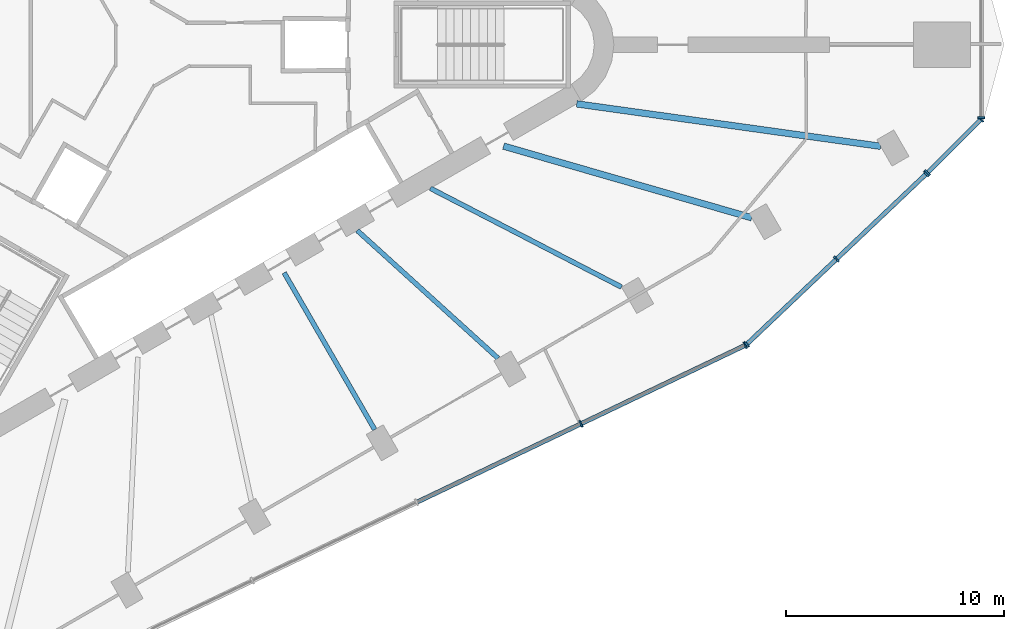
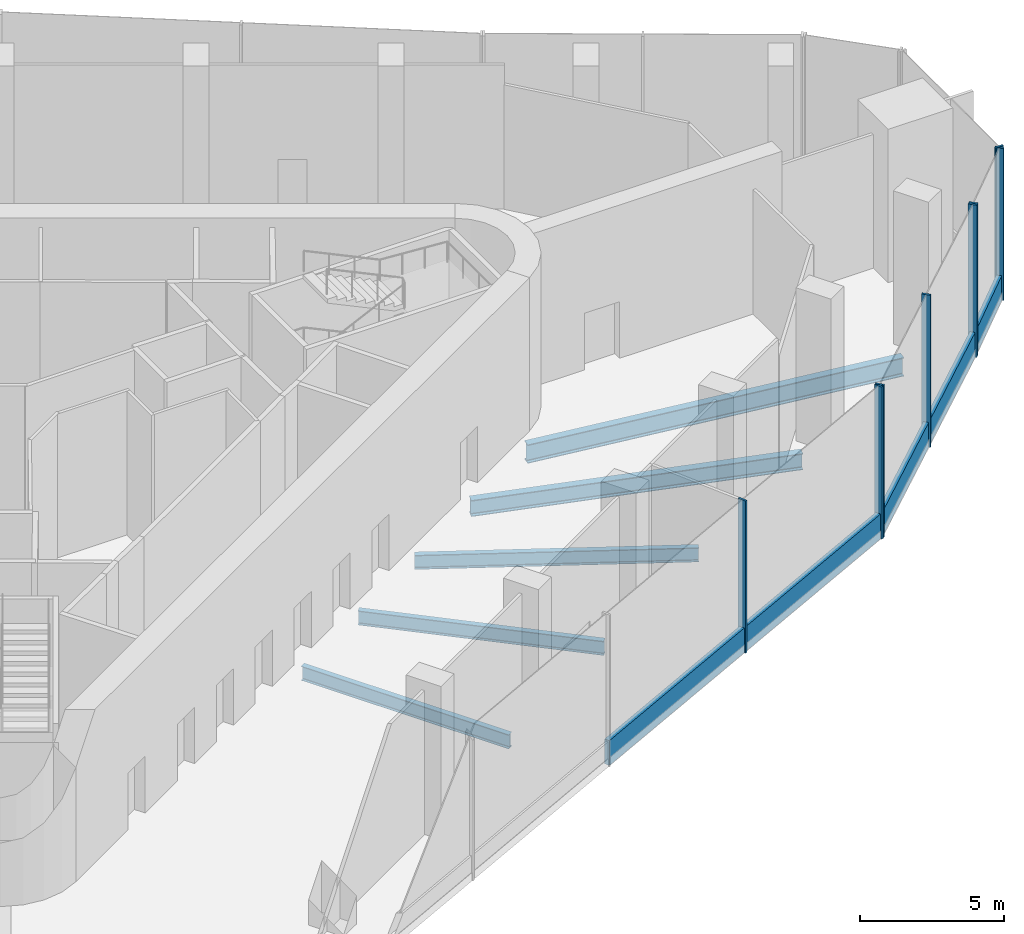
# One storey, part 3 of 15: 13 members, 5 beams, 4 elements without a shape of their own.
"""IFC4 building model written with IfcOpenShell, lengths in metres."""

from ifc_helpers import new_model, si_unit, direction, frame, origin, origin_2d, place, context, subcontext, project, spatial, rectangle, i_section, extrude, material, material_profile, profile_set, type_object, element, aggregate, save


model = new_model("IFC4")

# Units and contexts
model_context = context("Model", 3, precision=1e-05, world=origin(), true_north=direction((0.0, 1.0)))
body_context = subcontext(model_context, "Body", "Model", "MODEL_VIEW")
ifc_project = project(units=[si_unit("LENGTHUNIT", "METRE"), si_unit("AREAUNIT", "SQUARE_METRE"), si_unit("VOLUMEUNIT", "CUBIC_METRE"), si_unit("PLANEANGLEUNIT", "RADIAN"), si_unit("MASSUNIT", "GRAM", prefix="KILO")], contexts=[model_context])

# Site, building, storey
site_placement = place(None, origin())
site = spatial("IfcSite", under=ifc_project, at=site_placement, CompositionType="ELEMENT")
building_placement = place(site_placement, origin())
building = spatial("IfcBuilding", under=site, at=building_placement, Name="Tanit Gate Tower", CompositionType="ELEMENT")
storey_placement = place(building_placement, frame((0.0, 0.0, 277.199951171875)))
storey = spatial("IfcBuildingStorey", under=building, at=storey_placement, Name="L63", CompositionType="ELEMENT", Elevation=277.199951171875)

# Curtain wall, members
ifc_material_1 = material(Name="Aluminium bronze anodised and glass", Category="aluminium")
curtain_wall_type = type_object("IfcCurtainWallType", Name="Curtain wall sky lobby", PredefinedType="NOTDEFINED", material=ifc_material_1)
curtain_wall_1_placement = place(storey_placement, origin())
curtain_wall_1 = element("IfcCurtainWall", 1, at=curtain_wall_1_placement, inside=storey, type_object=curtain_wall_type, Name="Curtain wall L63 SE2", PredefinedType="NOTDEFINED")
ifc_material_2 = material(Name="Aluminium bronze anodised", Category="aluminium")
ifc_material_profile_1 = material_profile(ifc_material_2, rectangle(XDim=0.320068359375, YDim=0.080078125, at=origin_2d()), Name="80x320 bronze mullion")
ifc_profile_set_1 = profile_set([ifc_material_profile_1], Name="Aluminium bronze anodised")
member_type_1 = type_object("IfcMemberType", Name="Mullion 80x320 sky lobby", PredefinedType="MULLION", material=ifc_profile_set_1)
member_1_placement = place(storey_placement, frame((19.68505859375, -17.4169921875, -0.349853515625), z_axis=(0.0, 0.0, 1.0), x_axis=(-0.431197182029, 0.902257718288, 0.0)))
member_1 = element("IfcMember", 2, at=member_1_placement, type_object=member_type_1, Name="Mullion L63 SE2.4", PredefinedType="MULLION", context=body_context, shape_type="SweptSolid", body=[
    extrude(rectangle(XDim=0.320068359375, YDim=0.080078125, at=origin_2d()), origin(), (0.0, 0.0, 1.0), 6.449951171875),
])
member_2_placement = place(storey_placement, frame((27.234130859375, -13.80908203125, -0.349853515625), z_axis=(0.0, 0.0, 1.0), x_axis=(-0.431197182029, 0.902257718288, 0.0)))
member_2 = element("IfcMember", 3, at=member_2_placement, type_object=member_type_1, Name="Mullion L63 SE2.5", PredefinedType="MULLION", context=body_context, shape_type="SweptSolid", body=[
    extrude(rectangle(XDim=0.320068359375, YDim=0.080078125, at=origin_2d()), origin(), (0.0, 0.0, 1.0), 6.449951171875),
])

curtain_wall_2_placement = place(storey_placement, origin())
curtain_wall_2 = element("IfcCurtainWall", 4, at=curtain_wall_2_placement, inside=storey, type_object=curtain_wall_type, Name="Curtain wall L63 SE3", PredefinedType="NOTDEFINED")
member_3_placement = place(storey_placement, frame((27.29931640625, -13.764404296875, -0.349853515625), z_axis=(0.0, 0.0, 1.0), x_axis=(-0.688426796266, 0.725305829415, 0.0)))
member_3 = element("IfcMember", 5, at=member_3_placement, type_object=member_type_1, Name="Mullion L63 SE3.1", PredefinedType="MULLION", context=body_context, shape_type="SweptSolid", body=[
    extrude(rectangle(XDim=0.320068359375, YDim=0.080078125, at=origin_2d()), origin(), (0.0, 0.0, 1.0), 6.449951171875),
])
member_4_placement = place(storey_placement, frame((31.422607421875, -9.8505859375, -0.349853515625), z_axis=(0.0, 0.0, 1.0), x_axis=(-0.688426796266, 0.725305829415, 0.0)))
member_4 = element("IfcMember", 6, at=member_4_placement, type_object=member_type_1, Name="Mullion L63 SE3.2", PredefinedType="MULLION", context=body_context, shape_type="SweptSolid", body=[
    extrude(rectangle(XDim=0.320068359375, YDim=0.080078125, at=origin_2d()), origin(), (0.0, 0.0, 1.0), 6.449951171875),
])
member_5_placement = place(storey_placement, frame((35.546142578125, -5.936767578125, -0.349853515625), z_axis=(0.0, 0.0, 1.0), x_axis=(-0.688426796266, 0.725305829415, 0.0)))
member_5 = element("IfcMember", 7, at=member_5_placement, type_object=member_type_1, Name="Mullion L63 SE3.3", PredefinedType="MULLION", context=body_context, shape_type="SweptSolid", body=[
    extrude(rectangle(XDim=0.320068359375, YDim=0.080078125, at=origin_2d()), origin(), (0.0, 0.0, 1.0), 6.449951171875),
])

curtain_wall_3_placement = place(storey_placement, origin())
curtain_wall_3 = element("IfcCurtainWall", 8, at=curtain_wall_3_placement, inside=storey, type_object=curtain_wall_type, Name="Curtain wall L63 E.arc1", PredefinedType="NOTDEFINED")
member_6_placement = place(storey_placement, frame((35.603515625, -5.880859375, -0.349853515625), z_axis=(0.0, 0.0, 1.0), x_axis=(-0.707106781187, 0.707106781187, 0.0)))
member_6 = element("IfcMember", 9, at=member_6_placement, type_object=member_type_1, Name="Mullion L63 E.arc1.1", PredefinedType="MULLION", context=body_context, shape_type="SweptSolid", body=[
    extrude(rectangle(XDim=0.320068359375, YDim=0.080078125, at=origin_2d()), origin(), (0.0, 0.0, 1.0), 6.449951171875),
])
member_7_placement = place(storey_placement, frame((38.056884765625, -3.427490234375, -0.349853515625), z_axis=(0.0, 0.0, 1.0), x_axis=(-0.707106781187, 0.707106781187, 0.0)))
member_7 = element("IfcMember", 10, at=member_7_placement, type_object=member_type_1, Name="Mullion L63 E.arc1.2", PredefinedType="MULLION", context=body_context, shape_type="SweptSolid", body=[
    extrude(rectangle(XDim=0.320068359375, YDim=0.080078125, at=origin_2d()), origin(), (0.0, 0.0, 1.0), 6.449951171875),
])

# Curtain wall, member
curtain_wall_4_placement = place(storey_placement, origin())
curtain_wall_4 = element("IfcCurtainWall", 11, at=curtain_wall_4_placement, inside=storey, type_object=curtain_wall_type, Name="Curtain wall L63 E.arc2", PredefinedType="NOTDEFINED")
member_8_placement = place(storey_placement, frame((38.085205078125, -3.359130859375, -0.349853515625), z_axis=(0.0, 0.0, 1.0), x_axis=(-1.0, 0.0, 0.0)))
member_8 = element("IfcMember", 12, at=member_8_placement, type_object=member_type_1, Name="Mullion L63 E.arc2.1", PredefinedType="MULLION", context=body_context, shape_type="SweptSolid", body=[
    extrude(rectangle(XDim=0.320068359375, YDim=0.080078125, at=origin_2d()), origin(), (0.0, 0.0, 1.0), 6.449951171875),
])
aggregate(curtain_wall_4, [member_8])

# Beams
ifc_material_3 = material(Name="Steel S355", Category="steel")
ifc_material_profile_2 = material_profile(ifc_material_3, i_section(OverallWidth=0.300048828125, OverallDepth=0.68994140625, WebThickness=0.014404296875, FlangeThickness=0.027099609375, FilletRadius=0.027099609375, at=origin_2d()), Name="HEA 700")
ifc_profile_set_2 = profile_set([ifc_material_profile_2], Name="Steel S355")
beam_type_1 = type_object("IfcBeamType", Name="RADIAL GIRDER HEA 700 S355", PredefinedType="BEAM", material=ifc_profile_set_2)
beam_1_placement = place(storey_placement, frame((27.528564453125, -7.955078125, -0.695068359375), z_axis=(-0.960692598628, 0.277614356511, 0.0), x_axis=(-0.277614356511, -0.960692598628, 0.0)))
element("IfcBeam", 13, at=beam_1_placement, inside=storey, type_object=beam_type_1, Name="RADIAL GIRDER", PredefinedType="BEAM", context=body_context, shape_type="SweptSolid", body=[
    extrude(i_section(OverallWidth=0.300048828125, OverallDepth=0.68994140625, WebThickness=0.014404296875, FlangeThickness=0.027099609375, FilletRadius=0.027099609375, at=origin_2d()), origin(), (0.0, 0.0, 1.0), 11.8642578125),
])
ifc_material_4 = material(Name="Steel S355", Category="steel")
ifc_material_profile_3 = material_profile(ifc_material_4, i_section(OverallWidth=0.300048828125, OverallDepth=0.7900390625, WebThickness=0.014892578125, FlangeThickness=0.028076171875, FilletRadius=0.030029296875, at=origin_2d()), Name="HEA 800")
ifc_profile_set_3 = profile_set([ifc_material_profile_3], Name="Steel S355")
beam_type_2 = type_object("IfcBeamType", Name="RADIAL GIRDER HEA 800 S355", PredefinedType="BEAM", material=ifc_profile_set_3)
beam_2_placement = place(storey_placement, frame((33.450927734375, -4.6708984375, -0.744873046875), z_axis=(-0.990390390759, 0.138299941769, 0.0), x_axis=(-0.138299941769, -0.990390390759, 0.0)))
element("IfcBeam", 14, at=beam_2_placement, inside=storey, type_object=beam_type_2, Name="RADIAL GIRDER", PredefinedType="BEAM", context=body_context, shape_type="SweptSolid", body=[
    extrude(i_section(OverallWidth=0.300048828125, OverallDepth=0.7900390625, WebThickness=0.014892578125, FlangeThickness=0.028076171875, FilletRadius=0.030029296875, at=origin_2d()), origin(), (0.0, 0.0, 1.0), 14.095947265625),
])
ifc_material_5 = material(Name="Steel S355", Category="steel")
ifc_material_profile_4 = material_profile(ifc_material_5, i_section(OverallWidth=0.219970703125, OverallDepth=0.60009765625, WebThickness=0.011962890625, FlangeThickness=0.01904296875, FilletRadius=0.02392578125, at=origin_2d()), Name="IPE 600")
ifc_profile_set_4 = profile_set([ifc_material_profile_4], Name="Steel S355")
beam_type_3 = type_object("IfcBeamType", Name="RADIAL GIRDER IPE 600 S355", PredefinedType="BEAM", material=ifc_profile_set_4)
beam_3_placement = place(storey_placement, frame((10.210693359375, -17.685546875, -0.64990234375), z_axis=(-0.499995954789, 0.866027739276, 0.0), x_axis=(-0.866027739276, -0.499995954789, 0.0)))
element("IfcBeam", 15, at=beam_3_placement, inside=storey, type_object=beam_type_3, Name="RADIAL GIRDER", PredefinedType="BEAM", context=body_context, shape_type="SweptSolid", body=[
    extrude(i_section(OverallWidth=0.219970703125, OverallDepth=0.60009765625, WebThickness=0.011962890625, FlangeThickness=0.01904296875, FilletRadius=0.02392578125, at=origin_2d()), origin(), (0.0, 0.0, 1.0), 8.3193359375),
])
beam_4_placement = place(storey_placement, frame((15.88037109375, -14.412109375, -0.64990234375), z_axis=(-0.740510084362, 0.672045247701, 0.0), x_axis=(-0.672045247701, -0.740510084362, 0.0)))
element("IfcBeam", 16, at=beam_4_placement, inside=storey, type_object=beam_type_3, Name="RADIAL GIRDER", PredefinedType="BEAM", context=body_context, shape_type="SweptSolid", body=[
    extrude(i_section(OverallWidth=0.219970703125, OverallDepth=0.60009765625, WebThickness=0.011962890625, FlangeThickness=0.01904296875, FilletRadius=0.02392578125, at=origin_2d()), origin(), (0.0, 0.0, 1.0), 8.736572265625),
])
beam_5_placement = place(storey_placement, frame((21.5498046875, -11.138916015625, -0.64990234375), z_axis=(-0.888343449029, 0.459179612534, 0.0), x_axis=(-0.459179612534, -0.888343449029, 0.0)))
element("IfcBeam", 17, at=beam_5_placement, inside=storey, type_object=beam_type_3, Name="RADIAL GIRDER", PredefinedType="BEAM", context=body_context, shape_type="SweptSolid", body=[
    extrude(i_section(OverallWidth=0.219970703125, OverallDepth=0.60009765625, WebThickness=0.011962890625, FlangeThickness=0.01904296875, FilletRadius=0.02392578125, at=origin_2d()), origin(), (0.0, 0.0, 1.0), 9.882568359375),
])

# Member
ifc_material_6 = material(Name="Aluminium bronze anodised", Category="aluminium")
ifc_material_profile_5 = material_profile(ifc_material_6, rectangle(XDim=0.199951171875, YDim=1.050048828125, at=origin_2d()), Name="200x1050 bronze transom")
ifc_profile_set_5 = profile_set([ifc_material_profile_5], Name="Aluminium bronze anodised")
member_type_2 = type_object("IfcMemberType", Name="Transom 200x1050 sky lobby", PredefinedType="USERDEFINED", material=ifc_profile_set_5)
member_9_placement = place(storey_placement, frame((12.172119140625, -21.00732421875, 0.175048828125), z_axis=(0.902257333807, 0.431197986534, 0.0), x_axis=(-0.431197986534, 0.902257333807, 0.0)))
member_9 = element("IfcMember", 18, at=member_9_placement, type_object=member_type_2, Name="Transom L63 SE2.3", ObjectType="TRANSOM", PredefinedType="USERDEFINED", context=body_context, shape_type="SweptSolid", body=[
    extrude(rectangle(XDim=0.199951171875, YDim=1.050048828125, at=origin_2d()), origin(), (0.0, 0.0, 1.0), 8.286865234375),
])

member_10_placement = place(storey_placement, frame((19.72119140625, -17.399658203125, 0.175048828125), z_axis=(0.902257333807, 0.431197986534, 0.0), x_axis=(-0.431197986534, 0.902257333807, 0.0)))
member_10 = element("IfcMember", 19, at=member_10_placement, type_object=member_type_2, Name="Transom L63 SE2.4", ObjectType="TRANSOM", PredefinedType="USERDEFINED", context=body_context, shape_type="SweptSolid", body=[
    extrude(rectangle(XDim=0.199951171875, YDim=1.050048828125, at=origin_2d()), origin(), (0.0, 0.0, 1.0), 8.286865234375),
])

aggregate(curtain_wall_1, [member_1, member_2, member_9, member_10])

member_11_placement = place(storey_placement, frame((27.328125, -13.73681640625, 0.175048828125), z_axis=(0.725312557534, 0.688419707652, 0.0), x_axis=(-0.688419707652, 0.725312557534, 0.0)))
member_11 = element("IfcMember", 20, at=member_11_placement, type_object=member_type_2, Name="Transom L63 SE3.1", ObjectType="TRANSOM", PredefinedType="USERDEFINED", context=body_context, shape_type="SweptSolid", body=[
    extrude(rectangle(XDim=0.199951171875, YDim=1.050048828125, at=origin_2d()), origin(), (0.0, 0.0, 1.0), 5.60498046875),
])

member_12_placement = place(storey_placement, frame((31.45166015625, -9.822998046875, 0.175048828125), z_axis=(0.725312557534, 0.688419707652, 0.0), x_axis=(-0.688419707652, 0.725312557534, 0.0)))
member_12 = element("IfcMember", 21, at=member_12_placement, type_object=member_type_2, Name="Transom L63 SE3.2", ObjectType="TRANSOM", PredefinedType="USERDEFINED", context=body_context, shape_type="SweptSolid", body=[
    extrude(rectangle(XDim=0.199951171875, YDim=1.050048828125, at=origin_2d()), origin(), (0.0, 0.0, 1.0), 5.60498046875),
])

aggregate(curtain_wall_2, [member_3, member_4, member_5, member_11, member_12])

member_13_placement = place(storey_placement, frame((35.6318359375, -5.8525390625, 0.175048828125), z_axis=(0.707106781187, 0.707106781187, 0.0), x_axis=(-0.707106781187, 0.707106781187, 0.0)))
member_13 = element("IfcMember", 22, at=member_13_placement, type_object=member_type_2, Name="Transom L63 E.arc1.1", ObjectType="TRANSOM", PredefinedType="USERDEFINED", context=body_context, shape_type="SweptSolid", body=[
    extrude(rectangle(XDim=0.199951171875, YDim=1.050048828125, at=origin_2d()), origin(), (0.0, 0.0, 1.0), 3.389404296875),
])

aggregate(curtain_wall_3, [member_6, member_7, member_13])

save(model, "model.ifc")
